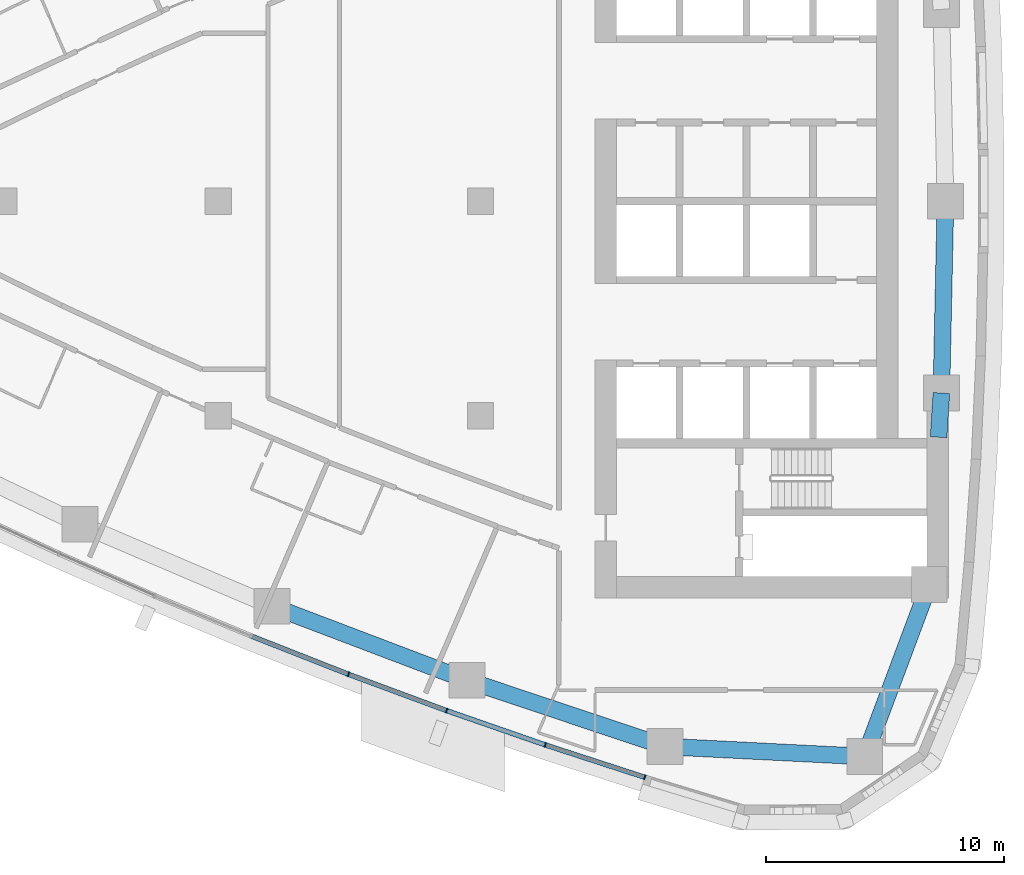
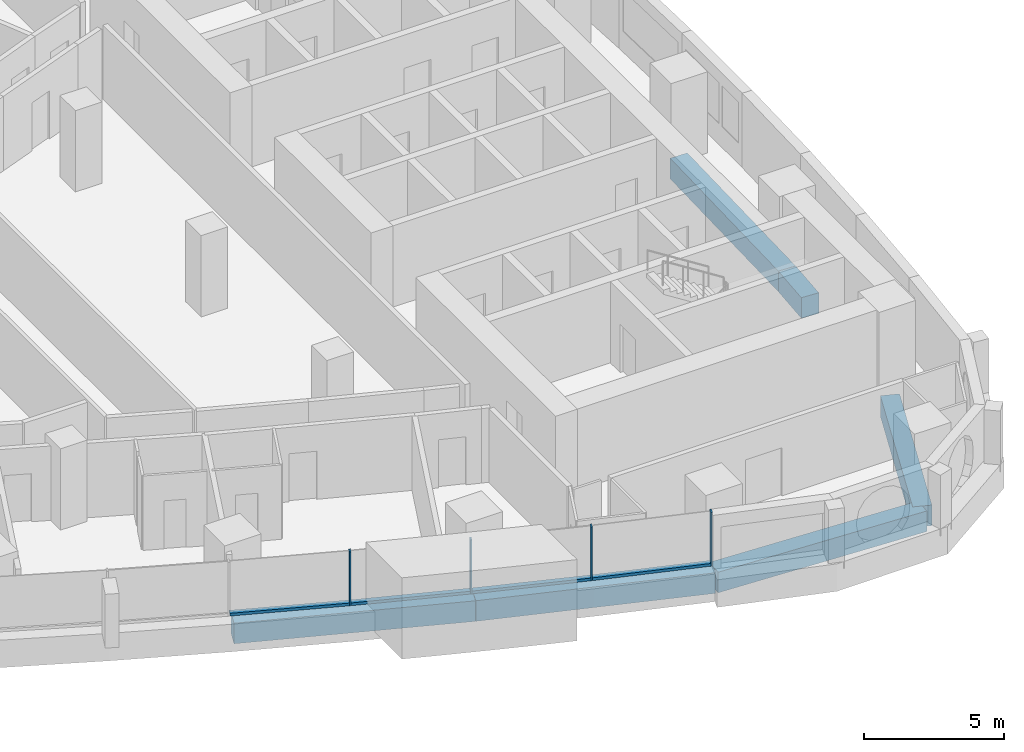
# One storey, part 3 of 17: 8 members, 6 beams, 2 elements without a shape of their own.
"""IFC4 building model written with IfcOpenShell, lengths in metres."""

from ifc_helpers import new_model, si_unit, direction, frame, origin, origin_2d, place, context, subcontext, project, spatial, rectangle, extrude, material, layer, layer_set, material_profile, profile_set, type_object, element, aggregate, save


model = new_model("IFC4")

# Units and contexts
model_context = context("Model", 3, precision=1e-05, world=origin(), true_north=direction((0.0, 1.0)))
body_context = subcontext(model_context, "Body", "Model", "MODEL_VIEW")
ifc_project = project(units=[si_unit("LENGTHUNIT", "METRE"), si_unit("AREAUNIT", "SQUARE_METRE"), si_unit("VOLUMEUNIT", "CUBIC_METRE"), si_unit("PLANEANGLEUNIT", "RADIAN"), si_unit("MASSUNIT", "GRAM", prefix="KILO")], contexts=[model_context])

# Site, building, storey
site_placement = place(None, origin())
site = spatial("IfcSite", under=ifc_project, at=site_placement, CompositionType="ELEMENT")
building_placement = place(site_placement, origin())
building = spatial("IfcBuilding", under=site, at=building_placement, Name="Ostrand Prow Hotel Tower", CompositionType="ELEMENT")
storey_placement = place(building_placement, frame((0.0, 0.0, 158.60009765625)))
storey = spatial("IfcBuildingStorey", under=building, at=storey_placement, Name="L39", CompositionType="ELEMENT", Elevation=158.60009765625)

# Beams
ifc_material_1 = material(Name="Concrete C70/85", Category="concrete")
ifc_material_profile_1 = material_profile(ifc_material_1, rectangle(XDim=0.699951171875, YDim=0.89990234375, at=origin_2d()), Name="RC 700x900")
ifc_profile_set_1 = profile_set([ifc_material_profile_1], Name="Concrete C70/85")
beam_type = type_object("IfcBeamType", Name="Edge beam 700x900 C70/85", PredefinedType="SPANDREL", material=ifc_profile_set_1)
for number, where, z_axis, x_axis, name in (
    (1, (36.255615234375, -16.98388671875, -0.75), (0.93479358236, -0.355191439055, 0.0), (0.355191439055, 0.93479358236, 0.0), "Edge beam S4-S5"),
    (2, (44.438232421875, -20.093017578125, -0.75), (0.948376051094, -0.317148018616, 0.0), (0.317148018616, 0.948376051094, 0.0), "Edge beam S5-S6"),
):
    element("IfcBeam", number, at=place(storey_placement, frame(where, z_axis=z_axis, x_axis=x_axis)), inside=storey, type_object=beam_type, Name=name, PredefinedType="SPANDREL", context=body_context, shape_type="SweptSolid", body=[
        extrude(rectangle(XDim=0.699951171875, YDim=0.89990234375, at=origin_2d()), origin(), (0.0, 0.0, 1.0), 8.75341796875),
    ])
beam_1_placement = place(storey_placement, frame((52.73974609375, -22.869140625, -0.75), z_axis=(0.99873741544, -0.050235196825, 0.0), x_axis=(0.050235196825, 0.99873741544, 0.0)))
element("IfcBeam", 3, at=beam_1_placement, inside=storey, type_object=beam_type, Name="Edge beam S6-SE", PredefinedType="SPANDREL", context=body_context, shape_type="SweptSolid", body=[
    extrude(rectangle(XDim=0.699951171875, YDim=0.89990234375, at=origin_2d()), origin(), (0.0, 0.0, 1.0), 8.38818359375),
])
beam_2_placement = place(storey_placement, frame((61.117431640625, -23.29052734375, -0.75), z_axis=(0.350602524344, 0.93652435629, 0.0), x_axis=(-0.93652435629, 0.350602524344, 0.0)))
element("IfcBeam", 4, at=beam_2_placement, inside=storey, type_object=beam_type, Name="Edge beam SE-B1", PredefinedType="SPANDREL", context=body_context, shape_type="SweptSolid", body=[
    extrude(rectangle(XDim=0.699951171875, YDim=0.89990234375, at=origin_2d()), origin(), (0.0, 0.0, 1.0), 7.037353515625),
])
beam_3_placement = place(storey_placement, frame((64.21142578125, -9.89990234375, -0.75), z_axis=(0.063563790544, 0.997977777574, 0.0), x_axis=(-0.997977777574, 0.063563790544, 0.0)))
element("IfcBeam", 5, at=beam_3_placement, inside=storey, type_object=beam_type, Name="Edge beam B1-B2", PredefinedType="SPANDREL", context=body_context, shape_type="SweptSolid", body=[
    extrude(rectangle(XDim=0.699951171875, YDim=0.89990234375, at=origin_2d()), origin(), (0.0, 0.0, 1.0), 1.85888671875),
])
beam_4_placement = place(storey_placement, frame((64.32958984375, -8.044677734375, -0.75), z_axis=(0.021178217658, 0.999775716397, 0.0), x_axis=(-0.999775716397, 0.021178217658, 0.0)))
element("IfcBeam", 6, at=beam_4_placement, inside=storey, type_object=beam_type, Name="Edge beam B2-B3", PredefinedType="SPANDREL", context=body_context, shape_type="SweptSolid", body=[
    extrude(rectangle(XDim=0.699951171875, YDim=0.89990234375, at=origin_2d()), origin(), (0.0, 0.0, 1.0), 8.04638671875),
])

# Curtain wall, members
ifc_material_2 = material(Name="Insulated glass in bronze anodised frame", Category="glass")
ifc_layer = layer(ifc_material_2, 0.199951171875)
ifc_layer_set = layer_set([ifc_layer], Name="Insulated glass in bronze anodised frame")
curtain_wall_type = type_object("IfcCurtainWallType", Name="Strip curtain wall, fritted glass over bronze spandrel", PredefinedType="NOTDEFINED", material=ifc_layer_set)
curtain_wall_1_placement = place(storey_placement, origin())
curtain_wall_1 = element("IfcCurtainWall", 7, at=curtain_wall_1_placement, inside=storey, type_object=curtain_wall_type, Name="CW1 run CWS4", PredefinedType="NOTDEFINED")
ifc_material_3 = material(Name="Bronze anodised aluminium", Category="aluminium")
ifc_material_profile_2 = material_profile(ifc_material_3, rectangle(XDim=0.199951171875, YDim=0.06005859375, at=origin_2d()), Name="Mullion 60x200 bronze anodised aluminium")
ifc_profile_set_2 = profile_set([ifc_material_profile_2], Name="Bronze anodised aluminium")
member_type_1 = type_object("IfcMemberType", Name="Mullion 60x200 bronze anodised aluminium", PredefinedType="MULLION", material=ifc_profile_set_2)
member_1_placement = place(storey_placement, frame((39.462158203125, -19.8408203125, 0.89990234375), z_axis=(0.0, 0.0, 1.0), x_axis=(0.347341576459, 0.937738678558, 0.0)))
member_1 = element("IfcMember", 8, at=member_1_placement, type_object=member_type_1, Name="CW1 mullion 2", PredefinedType="MULLION", context=body_context, shape_type="SweptSolid", body=[
    extrude(rectangle(XDim=0.199951171875, YDim=0.06005859375, at=origin_2d()), origin(), (0.0, 0.0, 1.0), 2.35009765625),
])
member_2_placement = place(storey_placement, frame((43.5751953125, -21.3642578125, 0.89990234375), z_axis=(0.0, 0.0, 1.0), x_axis=(0.347341576459, 0.937738678558, 0.0)))
member_2 = element("IfcMember", 9, at=member_2_placement, type_object=member_type_1, Name="CW1 mullion 3", PredefinedType="MULLION", context=body_context, shape_type="SweptSolid", body=[
    extrude(rectangle(XDim=0.199951171875, YDim=0.06005859375, at=origin_2d()), origin(), (0.0, 0.0, 1.0), 2.35009765625),
])

curtain_wall_2_placement = place(storey_placement, origin())
curtain_wall_2 = element("IfcCurtainWall", 10, at=curtain_wall_2_placement, inside=storey, type_object=curtain_wall_type, Name="CW1 run CWS5", PredefinedType="NOTDEFINED")
member_3_placement = place(storey_placement, frame((47.718017578125, -22.8046875, 0.89990234375), z_axis=(0.0, 0.0, 1.0), x_axis=(0.309380491373, 0.950938332153, 0.0)))
member_3 = element("IfcMember", 11, at=member_3_placement, type_object=member_type_1, Name="CW1 mullion 2", PredefinedType="MULLION", context=body_context, shape_type="SweptSolid", body=[
    extrude(rectangle(XDim=0.199951171875, YDim=0.06005859375, at=origin_2d()), origin(), (0.0, 0.0, 1.0), 2.35009765625),
])
member_4_placement = place(storey_placement, frame((51.888916015625, -24.16162109375, 0.89990234375), z_axis=(0.0, 0.0, 1.0), x_axis=(0.309380491373, 0.950938332153, 0.0)))
member_4 = element("IfcMember", 12, at=member_4_placement, type_object=member_type_1, Name="CW1 mullion 3", PredefinedType="MULLION", context=body_context, shape_type="SweptSolid", body=[
    extrude(rectangle(XDim=0.199951171875, YDim=0.06005859375, at=origin_2d()), origin(), (0.0, 0.0, 1.0), 2.35009765625),
])

# Member
ifc_material_4 = material(Name="Bronze anodised aluminium", Category="aluminium")
ifc_material_profile_3 = material_profile(ifc_material_4, rectangle(XDim=0.199951171875, YDim=0.1201171875, at=origin_2d()), Name="Transom 120x200 bronze anodised aluminium")
ifc_profile_set_3 = profile_set([ifc_material_profile_3], Name="Bronze anodised aluminium")
member_type_2 = type_object("IfcMemberType", Name="Transom 120x200 bronze anodised aluminium", PredefinedType="USERDEFINED", material=ifc_profile_set_3)
member_5_placement = place(storey_placement, frame((35.408447265625, -18.245849609375, 0.9599609375), z_axis=(0.930563430162, -0.366130717701, 0.0), x_axis=(0.366130717701, 0.930563430162, 0.0)))
member_5 = element("IfcMember", 13, at=member_5_placement, type_object=member_type_2, Name="CW1 transom 1.1", ObjectType="TRANSOM", PredefinedType="USERDEFINED", context=body_context, shape_type="SweptSolid", body=[
    extrude(rectangle(XDim=0.199951171875, YDim=0.1201171875, at=origin_2d()), origin(), (0.0, 0.0, 1.0), 4.326171875),
])

member_6_placement = place(storey_placement, frame((39.490234375, -19.851318359375, 0.9599609375), z_axis=(0.937756929379, -0.347292299657, 0.0), x_axis=(0.347292299657, 0.937756929379, 0.0)))
member_6 = element("IfcMember", 14, at=member_6_placement, type_object=member_type_2, Name="CW1 transom 2.1", ObjectType="TRANSOM", PredefinedType="USERDEFINED", context=body_context, shape_type="SweptSolid", body=[
    extrude(rectangle(XDim=0.199951171875, YDim=0.1201171875, at=origin_2d()), origin(), (0.0, 0.0, 1.0), 4.326171875),
])

aggregate(curtain_wall_1, [member_1, member_2, member_5, member_6])

member_7_placement = place(storey_placement, frame((43.603515625, -21.3740234375, 0.9599609375), z_axis=(0.944524201162, -0.328441826538, 0.0), x_axis=(0.328441826538, 0.944524201162, 0.0)))
member_7 = element("IfcMember", 15, at=member_7_placement, type_object=member_type_2, Name="CW1 transom 1.1", ObjectType="TRANSOM", PredefinedType="USERDEFINED", context=body_context, shape_type="SweptSolid", body=[
    extrude(rectangle(XDim=0.199951171875, YDim=0.1201171875, at=origin_2d()), origin(), (0.0, 0.0, 1.0), 4.326171875),
])

member_8_placement = place(storey_placement, frame((47.74658203125, -22.81396484375, 0.9599609375), z_axis=(0.950938634958, -0.309379560643, 0.0), x_axis=(0.309379560643, 0.950938634958, 0.0)))
member_8 = element("IfcMember", 16, at=member_8_placement, type_object=member_type_2, Name="CW1 transom 2.1", ObjectType="TRANSOM", PredefinedType="USERDEFINED", context=body_context, shape_type="SweptSolid", body=[
    extrude(rectangle(XDim=0.199951171875, YDim=0.1201171875, at=origin_2d()), origin(), (0.0, 0.0, 1.0), 4.325927734375),
])

aggregate(curtain_wall_2, [member_3, member_4, member_7, member_8])

save(model, "model.ifc")
